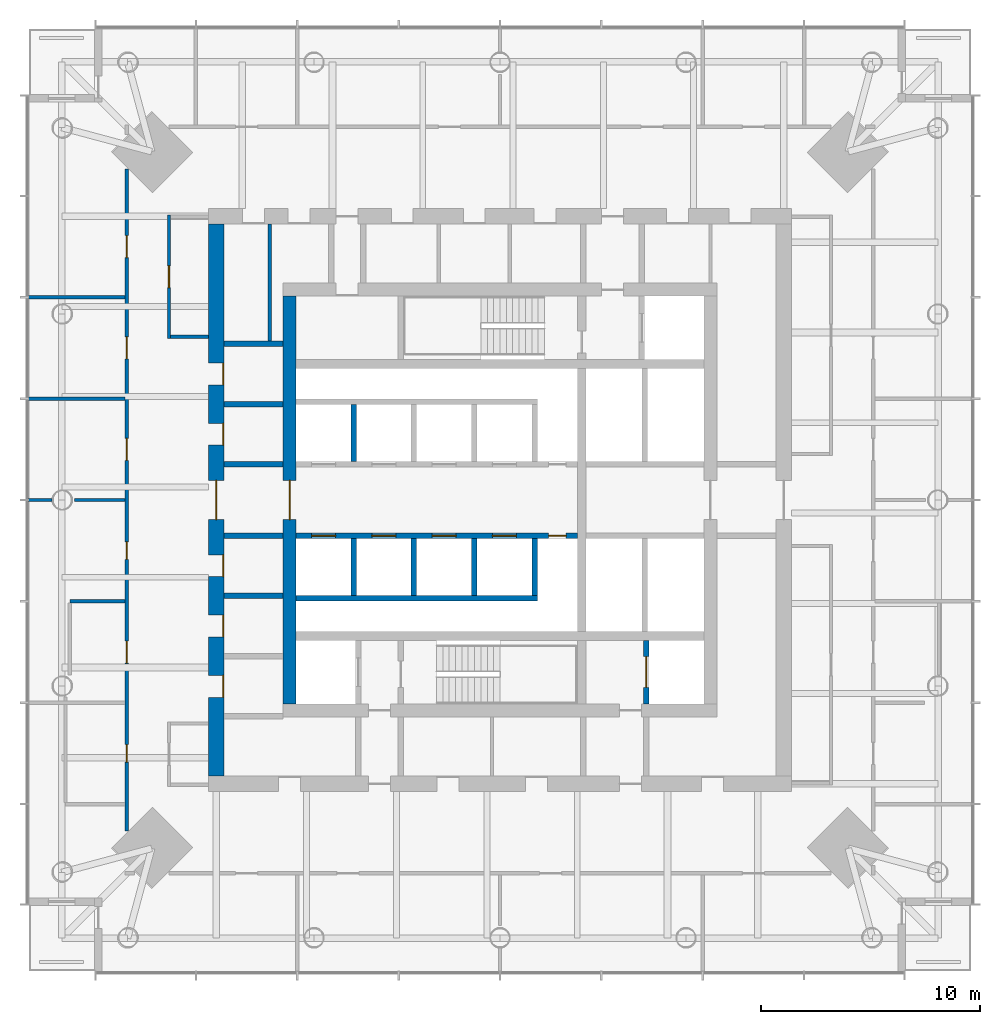
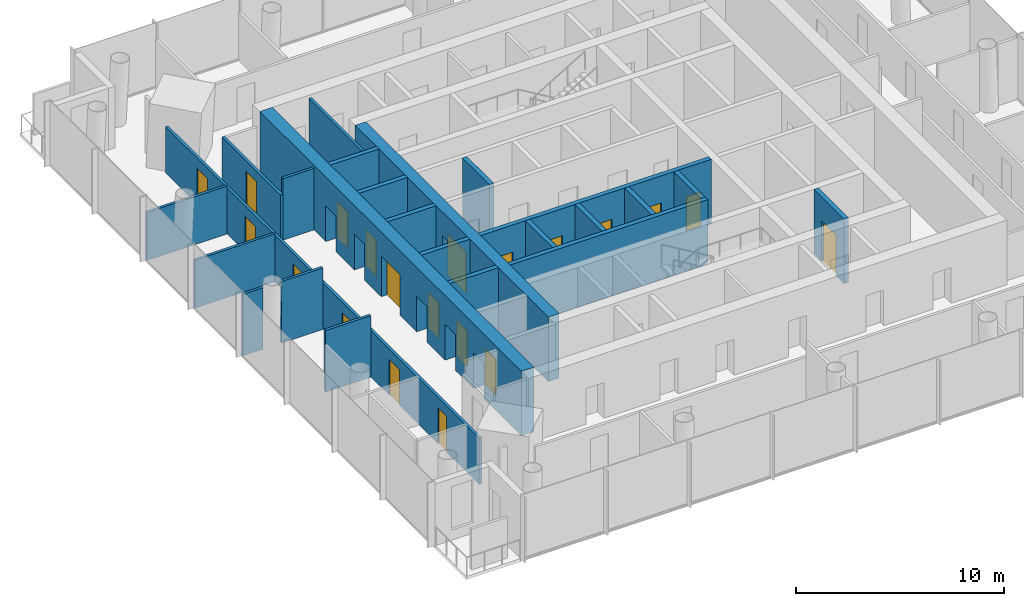
# One storey, part 5 of 9: 24 walls, 20 doors, 20 openings.
"""IFC4 building model written with IfcOpenShell, lengths in metres."""

from ifc_helpers import new_model, si_unit, direction, frame, frame_2d, origin, place, context, subcontext, project, spatial, rectangle, extrude, material, layer, layer_set, type_object, element, fill, save


model = new_model("IFC4")

# Units and contexts
model_context = context("Model", 3, precision=1e-05, world=origin(), true_north=direction((0.0, 1.0)))
body_context = subcontext(model_context, "Body", "Model", "MODEL_VIEW")
ifc_project = project(units=[si_unit("LENGTHUNIT", "METRE"), si_unit("AREAUNIT", "SQUARE_METRE"), si_unit("VOLUMEUNIT", "CUBIC_METRE"), si_unit("PLANEANGLEUNIT", "RADIAN"), si_unit("MASSUNIT", "GRAM", prefix="KILO")], contexts=[model_context])

# Site, building, storey
site_placement = place(None, origin())
site = spatial("IfcSite", under=ifc_project, at=site_placement, CompositionType="ELEMENT")
building_placement = place(site_placement, origin())
building = spatial("IfcBuilding", under=site, at=building_placement, Name="Ostroluk Exchange", CompositionType="ELEMENT")
storey_placement = place(building_placement, frame((0.0, 0.0, 146.39990234375)))
storey = spatial("IfcBuildingStorey", under=building, at=storey_placement, Name="L37", CompositionType="ELEMENT", Elevation=146.39990234375)

# Wall
ifc_material_1 = material(Name="Concrete blockwork", Category="masonry")
ifc_layer_1 = layer(ifc_material_1, 0.14990234375)
ifc_layer_set_1 = layer_set([ifc_layer_1], Name="Blockwork plant room wall 150")
wall_type_1 = type_object("IfcWallType", Name="Blockwork plant room wall 150", PredefinedType="SOLIDWALL", material=ifc_layer_set_1)
wall_1_placement = place(storey_placement, frame((34.5009765625, 53.25, 0.0), z_axis=(0.0, 0.0, 1.0), x_axis=(0.0, 1.0, 0.0)))
element("IfcWall", 1, at=wall_1_placement, inside=storey, type_object=wall_type_1, Name="Core room wall", PredefinedType="SOLIDWALL", context=body_context, shape_type="SweptSolid", body=[
    extrude(rectangle(XDim=5.35009765625, YDim=0.14990234375, at=frame_2d((2.675048828125, 0.0))), origin(), (0.0, 0.0, 1.0), 3.6201171875),
])

# Wall, opening, door
ifc_material_2 = material(Name="Concrete C40/50", Category="concrete")
ifc_layer_2 = layer(ifc_material_2, 0.25)
ifc_layer_set_2 = layer_set([ifc_layer_2], Name="Core shaft wall 250")
wall_type_2 = type_object("IfcWallType", Name="Core shaft wall 250", PredefinedType="SHEAR", material=ifc_layer_set_2)
wall_2_placement = place(storey_placement, frame((51.675048828125, 36.699951171875, 0.0), z_axis=(0.0, 0.0, 1.0), x_axis=(0.0, 1.0, 0.0)))
wall_2 = element("IfcWall", 2, at=wall_2_placement, inside=storey, type_object=wall_type_2, Name="Service lift shaft wall", PredefinedType="SHEAR", context=body_context, shape_type="SweptSolid", body=[
    extrude(rectangle(XDim=2.900146484375, YDim=0.25, at=frame_2d((1.4501953125, 0.0))), origin(), (0.0, 0.0, 1.0), 3.800048828125),
])
opening_1_placement = place(wall_2_placement, frame((0.75, 0.0, 0.0)))
opening_1 = element("IfcOpeningElement", 3, at=opening_1_placement, cuts=wall_2, Name="Opening LD3", PredefinedType="OPENING", context=body_context, shape_type="SweptSolid", body=[
    extrude(rectangle(XDim=1.39990234375, YDim=2.39990234375, at=frame_2d((0.699951171875, 1.199951171875))), frame((0.0, 0.135009765625, 0.0), z_axis=(0.0, -1.0, 0.0), x_axis=(1.0, 0.0, 0.0)), (0.0, 0.0, 1.0), 0.27001953125),
])
ifc_material_3 = material(Name="Stainless steel", Category="steel")
door_type_1 = type_object("IfcDoorType", Name="Goods lift landing door E 60 1400 x 2400", OperationType="DOUBLE_DOOR_SLIDING", PredefinedType="DOOR", material=ifc_material_3)
door_1_placement = place(opening_1_placement, origin())
door_1 = element("IfcDoor", 4, at=door_1_placement, inside=storey, type_object=door_type_1, Name="Lift SL1 landing door", OperationType="DOUBLE_DOOR_SLIDING", OverallHeight=2.39990234375, OverallWidth=1.39990234375, PredefinedType="DOOR", context=body_context, shape_type="SweptSolid", body=[
    extrude(rectangle(XDim=1.39990234375, YDim=2.39990234375, at=frame_2d((0.699951171875, 1.199951171875))), frame((0.0, 0.02490234375, 0.0), z_axis=(0.0, -1.0, 0.0), x_axis=(1.0, 0.0, 0.0)), (0.0, 0.0, 1.0), 0.050048828125),
])
fill(opening_1, door_1)

# Walls
for number, where, z_axis, x_axis, name in (
    (5, (38.324951171875, 47.75, 0.0), (0.0, 0.0, 1.0), (0.0, 1.0, 0.0), "Lift shaft wall"),
    (6, (38.324951171875, 44.25, 0.0), (0.0, 0.0, 1.0), (0.0, -1.0, 0.0), "Lift shaft wall"),
    (7, (41.074951171875, 44.25, 0.0), (0.0, 0.0, 1.0), (0.0, -1.0, 0.0), "Lift shaft wall"),
    (8, (43.824951171875, 44.25, 0.0), (0.0, 0.0, 1.0), (0.0, -1.0, 0.0), "Lift shaft wall"),
    (9, (46.574951171875, 44.25, 0.0), (0.0, 0.0, 1.0), (0.0, -1.0, 0.0), "Lift shaft wall"),
):
    element("IfcWall", number, at=place(storey_placement, frame(where, z_axis=z_axis, x_axis=x_axis)), inside=storey, type_object=wall_type_2, Name=name, PredefinedType="SHEAR", context=body_context, shape_type="SweptSolid", body=[
        extrude(rectangle(XDim=2.60009765625, YDim=0.25, at=frame_2d((1.300048828125, 0.0))), origin(), (0.0, 0.0, 1.0), 3.800048828125),
    ])
wall_3_placement = place(storey_placement, frame((35.699951171875, 41.52490234375, 0.0), z_axis=(0.0, 0.0, 1.0), x_axis=(1.0, 0.0, 0.0)))
element("IfcWall", 10, at=wall_3_placement, inside=storey, type_object=wall_type_2, Name="Lift shaft wall", PredefinedType="SHEAR", context=body_context, shape_type="SweptSolid", body=[
    extrude(rectangle(XDim=11.0, YDim=0.25, at=frame_2d((5.5, 0.0))), origin(), (0.0, 0.0, 1.0), 3.800048828125),
])

# Wall, openings, doors
wall_4_placement = place(storey_placement, frame((35.699951171875, 44.375, 0.0), z_axis=(0.0, 0.0, 1.0), x_axis=(1.0, 0.0, 0.0)))
wall_4 = element("IfcWall", 11, at=wall_4_placement, inside=storey, type_object=wall_type_2, Name="Lift shaft front wall", PredefinedType="SHEAR", context=body_context, shape_type="SweptSolid", body=[
    extrude(rectangle(XDim=12.830078125, YDim=0.25, at=frame_2d((6.4150390625, 0.0))), origin(), (0.0, 0.0, 1.0), 3.800048828125),
])
opening_2_placement = place(wall_4_placement, frame((0.699951171875, 0.0, 0.0)))
opening_2 = element("IfcOpeningElement", 12, at=opening_2_placement, cuts=wall_4, Name="Opening LD", PredefinedType="OPENING", context=body_context, shape_type="SweptSolid", body=[
    extrude(rectangle(XDim=1.10009765625, YDim=2.199951171875, at=frame_2d((0.550048828125, 1.10009765625))), frame((0.0, 0.135009765625, 0.0), z_axis=(0.0, -1.0, 0.0), x_axis=(1.0, 0.0, 0.0)), (0.0, 0.0, 1.0), 0.27001953125),
])
opening_3_placement = place(wall_4_placement, frame((3.449951171875, 0.0, 0.0)))
opening_3 = element("IfcOpeningElement", 13, at=opening_3_placement, cuts=wall_4, Name="Opening LD", PredefinedType="OPENING", context=body_context, shape_type="SweptSolid", body=[
    extrude(rectangle(XDim=1.10009765625, YDim=2.199951171875, at=frame_2d((0.550048828125, 1.10009765625))), frame((0.0, 0.135009765625, 0.0), z_axis=(0.0, -1.0, 0.0), x_axis=(1.0, 0.0, 0.0)), (0.0, 0.0, 1.0), 0.27001953125),
])
opening_4_placement = place(wall_4_placement, frame((6.199951171875, 0.0, 0.0)))
opening_4 = element("IfcOpeningElement", 14, at=opening_4_placement, cuts=wall_4, Name="Opening LD", PredefinedType="OPENING", context=body_context, shape_type="SweptSolid", body=[
    extrude(rectangle(XDim=1.10009765625, YDim=2.199951171875, at=frame_2d((0.550048828125, 1.10009765625))), frame((0.0, 0.135009765625, 0.0), z_axis=(0.0, -1.0, 0.0), x_axis=(1.0, 0.0, 0.0)), (0.0, 0.0, 1.0), 0.27001953125),
])
opening_5_placement = place(wall_4_placement, frame((8.949951171875, 0.0, 0.0)))
opening_5 = element("IfcOpeningElement", 15, at=opening_5_placement, cuts=wall_4, Name="Opening LD", PredefinedType="OPENING", context=body_context, shape_type="SweptSolid", body=[
    extrude(rectangle(XDim=1.10009765625, YDim=2.199951171875, at=frame_2d((0.550048828125, 1.10009765625))), frame((0.0, 0.135009765625, 0.0), z_axis=(0.0, -1.0, 0.0), x_axis=(1.0, 0.0, 0.0)), (0.0, 0.0, 1.0), 0.27001953125),
])
opening_6_placement = place(wall_4_placement, frame((11.514892578125, 0.0, 0.0)))
opening_6 = element("IfcOpeningElement", 16, at=opening_6_placement, cuts=wall_4, Name="Opening RD60", PredefinedType="OPENING", context=body_context, shape_type="SweptSolid", body=[
    extrude(rectangle(XDim=0.800048828125, YDim=2.0, at=frame_2d((0.39990234375, 1.0))), frame((0.0, 0.135009765625, 0.0), z_axis=(0.0, -1.0, 0.0), x_axis=(1.0, 0.0, 0.0)), (0.0, 0.0, 1.0), 0.27001953125),
])
ifc_material_4 = material(Name="Stainless steel", Category="steel")
door_type_2 = type_object("IfcDoorType", Name="Lift landing door E 60 1100 x 2200", OperationType="DOUBLE_DOOR_SLIDING", PredefinedType="DOOR", material=ifc_material_4)
door_2_placement = place(opening_2_placement, origin())
door_2 = element("IfcDoor", 17, at=door_2_placement, inside=storey, type_object=door_type_2, Name="Lift PL-M5 landing door", OperationType="DOUBLE_DOOR_SLIDING", OverallHeight=2.199951171875, OverallWidth=1.10009765625, PredefinedType="DOOR", context=body_context, shape_type="SweptSolid", body=[
    extrude(rectangle(XDim=1.10009765625, YDim=2.199951171875, at=frame_2d((0.550048828125, 1.10009765625))), frame((0.0, 0.02490234375, 0.0), z_axis=(0.0, -1.0, 0.0), x_axis=(1.0, 0.0, 0.0)), (0.0, 0.0, 1.0), 0.050048828125),
])
fill(opening_2, door_2)
door_3_placement = place(opening_3_placement, origin())
door_3 = element("IfcDoor", 18, at=door_3_placement, inside=storey, type_object=door_type_2, Name="Lift PL-M6 landing door", OperationType="DOUBLE_DOOR_SLIDING", OverallHeight=2.199951171875, OverallWidth=1.10009765625, PredefinedType="DOOR", context=body_context, shape_type="SweptSolid", body=[
    extrude(rectangle(XDim=1.10009765625, YDim=2.199951171875, at=frame_2d((0.550048828125, 1.10009765625))), frame((0.0, 0.02490234375, 0.0), z_axis=(0.0, -1.0, 0.0), x_axis=(1.0, 0.0, 0.0)), (0.0, 0.0, 1.0), 0.050048828125),
])
fill(opening_3, door_3)
door_4_placement = place(opening_4_placement, origin())
door_4 = element("IfcDoor", 19, at=door_4_placement, inside=storey, type_object=door_type_2, Name="Lift PL-M7 landing door", OperationType="DOUBLE_DOOR_SLIDING", OverallHeight=2.199951171875, OverallWidth=1.10009765625, PredefinedType="DOOR", context=body_context, shape_type="SweptSolid", body=[
    extrude(rectangle(XDim=1.10009765625, YDim=2.199951171875, at=frame_2d((0.550048828125, 1.10009765625))), frame((0.0, 0.02490234375, 0.0), z_axis=(0.0, -1.0, 0.0), x_axis=(1.0, 0.0, 0.0)), (0.0, 0.0, 1.0), 0.050048828125),
])
fill(opening_4, door_4)
door_5_placement = place(opening_5_placement, origin())
door_5 = element("IfcDoor", 20, at=door_5_placement, inside=storey, type_object=door_type_2, Name="Lift PL-M8 landing door", OperationType="DOUBLE_DOOR_SLIDING", OverallHeight=2.199951171875, OverallWidth=1.10009765625, PredefinedType="DOOR", context=body_context, shape_type="SweptSolid", body=[
    extrude(rectangle(XDim=1.10009765625, YDim=2.199951171875, at=frame_2d((0.550048828125, 1.10009765625))), frame((0.0, 0.02490234375, 0.0), z_axis=(0.0, -1.0, 0.0), x_axis=(1.0, 0.0, 0.0)), (0.0, 0.0, 1.0), 0.050048828125),
])
fill(opening_5, door_5)
ifc_material_5 = material(Name="Steel", Category="steel")
door_type_3 = type_object("IfcDoorType", Name="Riser access door EI 60 800 x 2000", OperationType="SINGLE_SWING_LEFT", PredefinedType="DOOR", material=ifc_material_5)
door_6_placement = place(opening_6_placement, origin())
door_6 = element("IfcDoor", 21, at=door_6_placement, inside=storey, type_object=door_type_3, Name="Riser access door", OperationType="SINGLE_SWING_RIGHT", OverallHeight=2.0, OverallWidth=0.800048828125, PredefinedType="DOOR", context=body_context, shape_type="SweptSolid", body=[
    extrude(rectangle(XDim=0.800048828125, YDim=2.0, at=frame_2d((0.39990234375, 1.0))), frame((0.0, 0.02490234375, 0.0), z_axis=(0.0, -1.0, 0.0), x_axis=(1.0, 0.0, 0.0)), (0.0, 0.0, 1.0), 0.050048828125),
])
fill(opening_6, door_6)

# Walls
for number, where, z_axis, x_axis, name in (
    (22, (32.39990234375, 41.625, 0.0), (0.0, 0.0, 1.0), (1.0, 0.0, 0.0), "Lift shaft wall"),
    (23, (32.39990234375, 44.375, 0.0), (0.0, 0.0, 1.0), (1.0, 0.0, 0.0), "Lift shaft wall"),
    (24, (32.39990234375, 47.625, 0.0), (0.0, 0.0, 1.0), (1.0, 0.0, 0.0), "Lift shaft wall"),
    (25, (32.39990234375, 50.375, 0.0), (0.0, 0.0, 1.0), (1.0, 0.0, 0.0), "Lift shaft wall"),
    (26, (32.39990234375, 53.125, 0.0), (0.0, 0.0, 1.0), (1.0, 0.0, 0.0), "Lift shaft wall"),
):
    element("IfcWall", number, at=place(storey_placement, frame(where, z_axis=z_axis, x_axis=x_axis)), inside=storey, type_object=wall_type_2, Name=name, PredefinedType="SHEAR", context=body_context, shape_type="SweptSolid", body=[
        extrude(rectangle(XDim=2.7001953125, YDim=0.25, at=frame_2d((1.35009765625, 0.0))), origin(), (0.0, 0.0, 1.0), 3.800048828125),
    ])

# Wall, opening, door
ifc_material_6 = material(Name="Concrete C50/60", Category="concrete")
ifc_layer_3 = layer(ifc_material_6, 0.60009765625)
ifc_layer_set_3 = layer_set([ifc_layer_3], Name="Core wall 600 C50/60")
wall_type_3 = type_object("IfcWallType", Name="Core wall 600 C50/60", PredefinedType="SHEAR", material=ifc_layer_set_3)
wall_5_placement = place(storey_placement, frame((35.39990234375, 36.699951171875, 0.0), z_axis=(0.0, 0.0, 1.0), x_axis=(0.0, 1.0, 0.0)))
wall_5 = element("IfcWall", 27, at=wall_5_placement, inside=storey, type_object=wall_type_3, Name="T1 core wall W", PredefinedType="SHEAR", context=body_context, shape_type="SweptSolid", body=[
    extrude(rectangle(XDim=18.60009765625, YDim=0.60009765625, at=frame_2d((9.300048828125, 0.0))), origin(), (0.0, 0.0, 1.0), 3.800048828125),
])
opening_7_placement = place(wall_5_placement, frame((8.39990234375, 0.0, 0.0)))
opening_7 = element("IfcOpeningElement", 28, at=opening_7_placement, cuts=wall_5, Name="Opening FD30D", PredefinedType="OPENING", context=body_context, shape_type="SweptSolid", body=[
    extrude(rectangle(XDim=1.800048828125, YDim=2.39990234375, at=frame_2d((0.89990234375, 1.199951171875))), frame((0.0, 0.31005859375, 0.0), z_axis=(0.0, -1.0, 0.0), x_axis=(1.0, 0.0, 0.0)), (0.0, 0.0, 1.0), 0.6201171875),
])
ifc_material_7 = material(Name="Timber", Category="wood")
door_type_4 = type_object("IfcDoorType", Name="Lobby double door EI 30 1800 x 2400", OperationType="DOUBLE_DOOR_SINGLE_SWING", PredefinedType="DOOR", material=ifc_material_7)
door_7_placement = place(opening_7_placement, origin())
door_7 = element("IfcDoor", 29, at=door_7_placement, inside=storey, type_object=door_type_4, Name="Lift lobby doors", OperationType="DOUBLE_DOOR_SINGLE_SWING", OverallHeight=2.39990234375, OverallWidth=1.800048828125, PredefinedType="DOOR", context=body_context, shape_type="SweptSolid", body=[
    extrude(rectangle(XDim=1.800048828125, YDim=2.39990234375, at=frame_2d((0.89990234375, 1.199951171875))), frame((0.0, 0.02490234375, 0.0), z_axis=(0.0, -1.0, 0.0), x_axis=(1.0, 0.0, 0.0)), (0.0, 0.0, 1.0), 0.050048828125),
])
fill(opening_7, door_7)

# Wall, openings, doors
ifc_material_8 = material(Name="Concrete C50/60", Category="concrete")
ifc_layer_4 = layer(ifc_material_8, 0.699951171875)
ifc_layer_set_4 = layer_set([ifc_layer_4], Name="Core wall 700 C50/60")
wall_type_4 = type_object("IfcWallType", Name="Core wall 700 C50/60", PredefinedType="SHEAR", material=ifc_layer_set_4)
wall_6_placement = place(storey_placement, frame((32.050048828125, 33.39990234375, 0.0), z_axis=(0.0, 0.0, 1.0), x_axis=(0.0, 1.0, 0.0)))
wall_6 = element("IfcWall", 30, at=wall_6_placement, inside=storey, type_object=wall_type_4, Name="T1 core wall RW", PredefinedType="SHEAR", context=body_context, shape_type="SweptSolid", body=[
    extrude(rectangle(XDim=25.2001953125, YDim=0.699951171875, at=frame_2d((12.60009765625, 0.0))), origin(), (0.0, 0.0, 1.0), 3.800048828125),
])
opening_8_placement = place(wall_6_placement, frame((11.699951171875, 0.0, 0.0)))
opening_8 = element("IfcOpeningElement", 31, at=opening_8_placement, cuts=wall_6, Name="Opening FD30D", PredefinedType="OPENING", context=body_context, shape_type="SweptSolid", body=[
    extrude(rectangle(XDim=1.800048828125, YDim=2.39990234375, at=frame_2d((0.89990234375, 1.199951171875))), frame((0.0, 0.35986328125, 0.0), z_axis=(0.0, -1.0, 0.0), x_axis=(1.0, 0.0, 0.0)), (0.0, 0.0, 1.0), 0.719970703125),
])
opening_9_placement = place(wall_6_placement, frame((3.60009765625, 0.0, 0.0)))
opening_9 = element("IfcOpeningElement", 32, at=opening_9_placement, cuts=wall_6, Name="Opening FD60", PredefinedType="OPENING", context=body_context, shape_type="SweptSolid", body=[
    extrude(rectangle(XDim=1.0, YDim=2.10009765625, at=frame_2d((0.5, 1.050048828125))), frame((0.0, 0.35986328125, 0.0), z_axis=(0.0, -1.0, 0.0), x_axis=(1.0, 0.0, 0.0)), (0.0, 0.0, 1.0), 0.719970703125),
])
opening_10_placement = place(wall_6_placement, frame((6.35009765625, 0.0, 0.0)))
opening_10 = element("IfcOpeningElement", 33, at=opening_10_placement, cuts=wall_6, Name="Opening FD60", PredefinedType="OPENING", context=body_context, shape_type="SweptSolid", body=[
    extrude(rectangle(XDim=1.0, YDim=2.10009765625, at=frame_2d((0.5, 1.050048828125))), frame((0.0, 0.35986328125, 0.0), z_axis=(0.0, -1.0, 0.0), x_axis=(1.0, 0.0, 0.0)), (0.0, 0.0, 1.0), 0.719970703125),
])
opening_11_placement = place(wall_6_placement, frame((9.10009765625, 0.0, 0.0)))
opening_11 = element("IfcOpeningElement", 34, at=opening_11_placement, cuts=wall_6, Name="Opening FD60", PredefinedType="OPENING", context=body_context, shape_type="SweptSolid", body=[
    extrude(rectangle(XDim=1.0, YDim=2.10009765625, at=frame_2d((0.5, 1.050048828125))), frame((0.0, 0.35986328125, 0.0), z_axis=(0.0, -1.0, 0.0), x_axis=(1.0, 0.0, 0.0)), (0.0, 0.0, 1.0), 0.719970703125),
])
opening_12_placement = place(wall_6_placement, frame((15.10009765625, 0.0, 0.0)))
opening_12 = element("IfcOpeningElement", 35, at=opening_12_placement, cuts=wall_6, Name="Opening FD60", PredefinedType="OPENING", context=body_context, shape_type="SweptSolid", body=[
    extrude(rectangle(XDim=1.0, YDim=2.10009765625, at=frame_2d((0.5, 1.050048828125))), frame((0.0, 0.35986328125, 0.0), z_axis=(0.0, -1.0, 0.0), x_axis=(1.0, 0.0, 0.0)), (0.0, 0.0, 1.0), 0.719970703125),
])
opening_13_placement = place(wall_6_placement, frame((17.85009765625, 0.0, 0.0)))
opening_13 = element("IfcOpeningElement", 36, at=opening_13_placement, cuts=wall_6, Name="Opening FD60", PredefinedType="OPENING", context=body_context, shape_type="SweptSolid", body=[
    extrude(rectangle(XDim=1.0, YDim=2.10009765625, at=frame_2d((0.5, 1.050048828125))), frame((0.0, 0.35986328125, 0.0), z_axis=(0.0, -1.0, 0.0), x_axis=(1.0, 0.0, 0.0)), (0.0, 0.0, 1.0), 0.719970703125),
])
ifc_material_9 = material(Name="Steel", Category="steel")
door_type_5 = type_object("IfcDoorType", Name="Fire door EI 60 1000 x 2100", OperationType="SINGLE_SWING_LEFT", PredefinedType="DOOR", material=ifc_material_9)
door_8_placement = place(opening_9_placement, origin())
door_8 = element("IfcDoor", 37, at=door_8_placement, inside=storey, type_object=door_type_5, Name="Comms room door", OperationType="SINGLE_SWING_LEFT", OverallHeight=2.10009765625, OverallWidth=1.0, PredefinedType="DOOR", context=body_context, shape_type="SweptSolid", body=[
    extrude(rectangle(XDim=1.0, YDim=2.10009765625, at=frame_2d((0.5, 1.050048828125))), frame((0.0, -0.2900390625, 0.0), z_axis=(0.0, -1.0, 0.0), x_axis=(1.0, 0.0, 0.0)), (0.0, 0.0, 1.0), 0.050048828125),
])
fill(opening_9, door_8)
door_9_placement = place(opening_10_placement, origin())
door_9 = element("IfcDoor", 38, at=door_9_placement, inside=storey, type_object=door_type_5, Name="Tenant IT room door", OperationType="SINGLE_SWING_LEFT", OverallHeight=2.10009765625, OverallWidth=1.0, PredefinedType="DOOR", context=body_context, shape_type="SweptSolid", body=[
    extrude(rectangle(XDim=1.0, YDim=2.10009765625, at=frame_2d((0.5, 1.050048828125))), frame((0.0, -0.2900390625, 0.0), z_axis=(0.0, -1.0, 0.0), x_axis=(1.0, 0.0, 0.0)), (0.0, 0.0, 1.0), 0.050048828125),
])
fill(opening_10, door_9)
door_10_placement = place(opening_11_placement, origin())
door_10 = element("IfcDoor", 39, at=door_10_placement, inside=storey, type_object=door_type_5, Name="Comms room door", OperationType="SINGLE_SWING_LEFT", OverallHeight=2.10009765625, OverallWidth=1.0, PredefinedType="DOOR", context=body_context, shape_type="SweptSolid", body=[
    extrude(rectangle(XDim=1.0, YDim=2.10009765625, at=frame_2d((0.5, 1.050048828125))), frame((0.0, -0.2900390625, 0.0), z_axis=(0.0, -1.0, 0.0), x_axis=(1.0, 0.0, 0.0)), (0.0, 0.0, 1.0), 0.050048828125),
])
fill(opening_11, door_10)
door_11_placement = place(opening_12_placement, origin())
door_11 = element("IfcDoor", 40, at=door_11_placement, inside=storey, type_object=door_type_5, Name="Tenant IT room door", OperationType="SINGLE_SWING_RIGHT", OverallHeight=2.10009765625, OverallWidth=1.0, PredefinedType="DOOR", context=body_context, shape_type="SweptSolid", body=[
    extrude(rectangle(XDim=1.0, YDim=2.10009765625, at=frame_2d((0.5, 1.050048828125))), frame((0.0, -0.2900390625, 0.0), z_axis=(0.0, -1.0, 0.0), x_axis=(1.0, 0.0, 0.0)), (0.0, 0.0, 1.0), 0.050048828125),
])
fill(opening_12, door_11)
door_12_placement = place(opening_13_placement, origin())
door_12 = element("IfcDoor", 41, at=door_12_placement, inside=storey, type_object=door_type_5, Name="Comms room door", OperationType="SINGLE_SWING_RIGHT", OverallHeight=2.10009765625, OverallWidth=1.0, PredefinedType="DOOR", context=body_context, shape_type="SweptSolid", body=[
    extrude(rectangle(XDim=1.0, YDim=2.10009765625, at=frame_2d((0.5, 1.050048828125))), frame((0.0, -0.2900390625, 0.0), z_axis=(0.0, -1.0, 0.0), x_axis=(1.0, 0.0, 0.0)), (0.0, 0.0, 1.0), 0.050048828125),
])
fill(opening_13, door_12)
door_13_placement = place(opening_8_placement, origin())
door_13 = element("IfcDoor", 42, at=door_13_placement, inside=storey, type_object=door_type_4, Name="Lift lobby doors", OperationType="DOUBLE_DOOR_SINGLE_SWING", OverallHeight=2.39990234375, OverallWidth=1.800048828125, PredefinedType="DOOR", context=body_context, shape_type="SweptSolid", body=[
    extrude(rectangle(XDim=1.800048828125, YDim=2.39990234375, at=frame_2d((0.89990234375, 1.199951171875))), frame((0.0, 0.02490234375, 0.0), z_axis=(0.0, -1.0, 0.0), x_axis=(1.0, 0.0, 0.0)), (0.0, 0.0, 1.0), 0.050048828125),
])
fill(opening_8, door_13)

# Wall, opening, door
ifc_material_10 = material(Name="Gypsum plasterboard partition", Category="gypsum")
ifc_layer_5 = layer(ifc_material_10, 0.14990234375)
ifc_layer_set_5 = layer_set([ifc_layer_5], Name="Plasterboard partition 150")
wall_type_5 = type_object("IfcWallType", Name="Plasterboard partition 150", PredefinedType="PARTITIONING", material=ifc_layer_set_5)
wall_7_placement = place(storey_placement, frame((29.89990234375, 59.0, 0.0), z_axis=(0.0, 0.0, 1.0), x_axis=(0.0, -1.0, 0.0)))
wall_7 = element("IfcWall", 43, at=wall_7_placement, inside=storey, type_object=wall_type_5, Name="Partition", PredefinedType="PARTITIONING", context=body_context, shape_type="SweptSolid", body=[
    extrude(rectangle(XDim=5.625, YDim=0.14990234375, at=frame_2d((2.8125, 0.0))), origin(), (0.0, 0.0, 1.0), 2.72021484375),
])
opening_14_placement = place(wall_7_placement, frame((2.3125, 0.0, 0.0)))
opening_14 = element("IfcOpeningElement", 44, at=opening_14_placement, cuts=wall_7, Name="Opening D-03", PredefinedType="OPENING", context=body_context, shape_type="SweptSolid", body=[
    extrude(rectangle(XDim=1.0, YDim=2.10009765625, at=frame_2d((0.5, 1.050048828125))), frame((0.0, 0.0849609375, 0.0), z_axis=(0.0, -1.0, 0.0), x_axis=(1.0, 0.0, 0.0)), (0.0, 0.0, 1.0), 0.169921875),
])
ifc_material_11 = material(Name="Timber", Category="wood")
door_type_6 = type_object("IfcDoorType", Name="Internal door 1000 x 2100", OperationType="SINGLE_SWING_LEFT", PredefinedType="DOOR", material=ifc_material_11)
door_14_placement = place(opening_14_placement, origin())
door_14 = element("IfcDoor", 45, at=door_14_placement, inside=storey, type_object=door_type_6, Name="Meeting room door", OperationType="SINGLE_SWING_LEFT", OverallHeight=2.10009765625, OverallWidth=1.0, PredefinedType="DOOR", context=body_context, shape_type="SweptSolid", body=[
    extrude(rectangle(XDim=1.0, YDim=2.10009765625, at=frame_2d((0.5, 1.050048828125))), frame((0.0, 0.02490234375, 0.0), z_axis=(0.0, -1.0, 0.0), x_axis=(1.0, 0.0, 0.0)), (0.0, 0.0, 1.0), 0.050048828125),
])
fill(opening_14, door_14)

# Wall
wall_8_placement = place(storey_placement, frame((31.699951171875, 53.449951171875, 0.0), z_axis=(0.0, 0.0, 1.0), x_axis=(-1.0, 0.0, 0.0)))
element("IfcWall", 46, at=wall_8_placement, inside=storey, type_object=wall_type_5, Name="Partition", PredefinedType="PARTITIONING", context=body_context, shape_type="SweptSolid", body=[
    extrude(rectangle(XDim=1.724853515625, YDim=0.14990234375, at=frame_2d((0.8623046875, 0.0))), origin(), (0.0, 0.0, 1.0), 3.6201171875),
])

# Wall, openings, doors
wall_9_placement = place(storey_placement, frame((27.97509765625, 61.111572265625, 0.0), z_axis=(0.0, 0.0, 1.0), x_axis=(0.0, -1.0, 0.0)))
wall_9 = element("IfcWall", 47, at=wall_9_placement, inside=storey, type_object=wall_type_5, Name="Partition", PredefinedType="PARTITIONING", context=body_context, shape_type="SweptSolid", body=[
    extrude(rectangle(XDim=30.22314453125, YDim=0.14990234375, at=frame_2d((15.111572265625, 0.0))), origin(), (0.0, 0.0, 1.0), 2.72021484375),
])
opening_15_placement = place(wall_9_placement, frame((3.049072265625, 0.0, 0.0)))
opening_15 = element("IfcOpeningElement", 48, at=opening_15_placement, cuts=wall_9, Name="Opening D-03", PredefinedType="OPENING", context=body_context, shape_type="SweptSolid", body=[
    extrude(rectangle(XDim=1.0, YDim=2.10009765625, at=frame_2d((0.5, 1.050048828125))), frame((0.0, 0.0849609375, 0.0), z_axis=(0.0, -1.0, 0.0), x_axis=(1.0, 0.0, 0.0)), (0.0, 0.0, 1.0), 0.169921875),
])
opening_16_placement = place(wall_9_placement, frame((7.674072265625, 0.0, 0.0)))
opening_16 = element("IfcOpeningElement", 49, at=opening_16_placement, cuts=wall_9, Name="Opening D-03", PredefinedType="OPENING", context=body_context, shape_type="SweptSolid", body=[
    extrude(rectangle(XDim=1.0, YDim=2.10009765625, at=frame_2d((0.5, 1.050048828125))), frame((0.0, 0.0849609375, 0.0), z_axis=(0.0, -1.0, 0.0), x_axis=(1.0, 0.0, 0.0)), (0.0, 0.0, 1.0), 0.169921875),
])
opening_17_placement = place(wall_9_placement, frame((12.299072265625, 0.0, 0.0)))
opening_17 = element("IfcOpeningElement", 50, at=opening_17_placement, cuts=wall_9, Name="Opening D-03", PredefinedType="OPENING", context=body_context, shape_type="SweptSolid", body=[
    extrude(rectangle(XDim=1.0, YDim=2.10009765625, at=frame_2d((0.5, 1.050048828125))), frame((0.0, 0.0849609375, 0.0), z_axis=(0.0, -1.0, 0.0), x_axis=(1.0, 0.0, 0.0)), (0.0, 0.0, 1.0), 0.169921875),
])
opening_18_placement = place(wall_9_placement, frame((17.02392578125, 0.0, 0.0)))
opening_18 = element("IfcOpeningElement", 51, at=opening_18_placement, cuts=wall_9, Name="Opening D-06", PredefinedType="OPENING", context=body_context, shape_type="SweptSolid", body=[
    extrude(rectangle(XDim=0.800048828125, YDim=2.10009765625, at=frame_2d((0.39990234375, 1.050048828125))), frame((0.0, 0.0849609375, 0.0), z_axis=(0.0, -1.0, 0.0), x_axis=(1.0, 0.0, 0.0)), (0.0, 0.0, 1.0), 0.169921875),
])
opening_19_placement = place(wall_9_placement, frame((21.549072265625, 0.0, 0.0)))
opening_19 = element("IfcOpeningElement", 52, at=opening_19_placement, cuts=wall_9, Name="Opening D-03", PredefinedType="OPENING", context=body_context, shape_type="SweptSolid", body=[
    extrude(rectangle(XDim=1.0, YDim=2.10009765625, at=frame_2d((0.5, 1.050048828125))), frame((0.0, 0.0849609375, 0.0), z_axis=(0.0, -1.0, 0.0), x_axis=(1.0, 0.0, 0.0)), (0.0, 0.0, 1.0), 0.169921875),
])
opening_20_placement = place(wall_9_placement, frame((26.27392578125, 0.0, 0.0)))
opening_20 = element("IfcOpeningElement", 53, at=opening_20_placement, cuts=wall_9, Name="Opening D-06", PredefinedType="OPENING", context=body_context, shape_type="SweptSolid", body=[
    extrude(rectangle(XDim=0.800048828125, YDim=2.10009765625, at=frame_2d((0.39990234375, 1.050048828125))), frame((0.0, 0.0849609375, 0.0), z_axis=(0.0, -1.0, 0.0), x_axis=(1.0, 0.0, 0.0)), (0.0, 0.0, 1.0), 0.169921875),
])
door_15_placement = place(opening_15_placement, origin())
door_15 = element("IfcDoor", 54, at=door_15_placement, inside=storey, type_object=door_type_6, Name="Office suite door", OperationType="SINGLE_SWING_LEFT", OverallHeight=2.10009765625, OverallWidth=1.0, PredefinedType="DOOR", context=body_context, shape_type="SweptSolid", body=[
    extrude(rectangle(XDim=1.0, YDim=2.10009765625, at=frame_2d((0.5, 1.050048828125))), frame((0.0, 0.02490234375, 0.0), z_axis=(0.0, -1.0, 0.0), x_axis=(1.0, 0.0, 0.0)), (0.0, 0.0, 1.0), 0.050048828125),
])
fill(opening_15, door_15)
door_16_placement = place(opening_16_placement, origin())
door_16 = element("IfcDoor", 55, at=door_16_placement, inside=storey, type_object=door_type_6, Name="Meeting room door", OperationType="SINGLE_SWING_LEFT", OverallHeight=2.10009765625, OverallWidth=1.0, PredefinedType="DOOR", context=body_context, shape_type="SweptSolid", body=[
    extrude(rectangle(XDim=1.0, YDim=2.10009765625, at=frame_2d((0.5, 1.050048828125))), frame((0.0, 0.02490234375, 0.0), z_axis=(0.0, -1.0, 0.0), x_axis=(1.0, 0.0, 0.0)), (0.0, 0.0, 1.0), 0.050048828125),
])
fill(opening_16, door_16)
door_17_placement = place(opening_17_placement, origin())
door_17 = element("IfcDoor", 56, at=door_17_placement, inside=storey, type_object=door_type_6, Name="Focus room door", OperationType="SINGLE_SWING_LEFT", OverallHeight=2.10009765625, OverallWidth=1.0, PredefinedType="DOOR", context=body_context, shape_type="SweptSolid", body=[
    extrude(rectangle(XDim=1.0, YDim=2.10009765625, at=frame_2d((0.5, 1.050048828125))), frame((0.0, 0.02490234375, 0.0), z_axis=(0.0, -1.0, 0.0), x_axis=(1.0, 0.0, 0.0)), (0.0, 0.0, 1.0), 0.050048828125),
])
fill(opening_17, door_17)
door_18_placement = place(opening_19_placement, origin())
door_18 = element("IfcDoor", 57, at=door_18_placement, inside=storey, type_object=door_type_6, Name="Accessible WC door", OperationType="SINGLE_SWING_RIGHT", OverallHeight=2.10009765625, OverallWidth=1.0, PredefinedType="DOOR", context=body_context, shape_type="SweptSolid", body=[
    extrude(rectangle(XDim=1.0, YDim=2.10009765625, at=frame_2d((0.5, 1.050048828125))), frame((0.0, 0.02490234375, 0.0), z_axis=(0.0, -1.0, 0.0), x_axis=(1.0, 0.0, 0.0)), (0.0, 0.0, 1.0), 0.050048828125),
])
fill(opening_19, door_18)
ifc_material_12 = material(Name="Timber", Category="wood")
door_type_7 = type_object("IfcDoorType", Name="Toilet door 800 x 2100", OperationType="SINGLE_SWING_LEFT", PredefinedType="DOOR", material=ifc_material_12)
door_19_placement = place(opening_18_placement, origin())
door_19 = element("IfcDoor", 58, at=door_19_placement, inside=storey, type_object=door_type_7, Name="WC female door", OperationType="SINGLE_SWING_RIGHT", OverallHeight=2.10009765625, OverallWidth=0.800048828125, PredefinedType="DOOR", context=body_context, shape_type="SweptSolid", body=[
    extrude(rectangle(XDim=0.800048828125, YDim=2.10009765625, at=frame_2d((0.39990234375, 1.050048828125))), frame((0.0, 0.02490234375, 0.0), z_axis=(0.0, -1.0, 0.0), x_axis=(1.0, 0.0, 0.0)), (0.0, 0.0, 1.0), 0.050048828125),
])
fill(opening_18, door_19)
door_20_placement = place(opening_20_placement, origin())
door_20 = element("IfcDoor", 59, at=door_20_placement, inside=storey, type_object=door_type_7, Name="WC male door", OperationType="SINGLE_SWING_RIGHT", OverallHeight=2.10009765625, OverallWidth=0.800048828125, PredefinedType="DOOR", context=body_context, shape_type="SweptSolid", body=[
    extrude(rectangle(XDim=0.800048828125, YDim=2.10009765625, at=frame_2d((0.39990234375, 1.050048828125))), frame((0.0, 0.02490234375, 0.0), z_axis=(0.0, -1.0, 0.0), x_axis=(1.0, 0.0, 0.0)), (0.0, 0.0, 1.0), 0.050048828125),
])
fill(opening_20, door_20)

# Walls
for number, where, z_axis, x_axis, name in (
    (60, (27.89990234375, 55.25, 0.0), (0.0, 0.0, 1.0), (-1.0, 0.0, 0.0), "Partition"),
    (61, (27.89990234375, 50.625, 0.0), (0.0, 0.0, 1.0), (-1.0, 0.0, 0.0), "Partition"),
):
    element("IfcWall", number, at=place(storey_placement, frame(where, z_axis=z_axis, x_axis=x_axis)), inside=storey, type_object=wall_type_5, Name=name, PredefinedType="PARTITIONING", context=body_context, shape_type="SweptSolid", body=[
        extrude(rectangle(XDim=4.43994140625, YDim=0.14990234375, at=frame_2d((2.219970703125, 0.0))), origin(), (0.0, 0.0, 1.0), 2.820068359375),
    ])
wall_10_placement = place(storey_placement, frame((27.89990234375, 46.0, 0.0), z_axis=(0.0, 0.0, 1.0), x_axis=(-1.0, 0.0, 0.0)))
element("IfcWall", 62, at=wall_10_placement, inside=storey, type_object=wall_type_5, Name="Partition", PredefinedType="PARTITIONING", context=body_context, shape_type="SweptSolid", body=[
    extrude(rectangle(XDim=2.314453125, YDim=0.14990234375, at=frame_2d((1.1572265625, 0.0))), origin(), (0.0, 0.0, 1.0), 3.6201171875),
])
wall_11_placement = place(storey_placement, frame((24.550048828125, 46.0, 0.0), z_axis=(0.0, 0.0, 1.0), x_axis=(-1.0, 0.0, 0.0)))
element("IfcWall", 63, at=wall_11_placement, inside=storey, type_object=wall_type_5, Name="Partition", PredefinedType="PARTITIONING", context=body_context, shape_type="SweptSolid", body=[
    extrude(rectangle(XDim=1.090087890625, YDim=0.14990234375, at=frame_2d((0.544921875, 0.0))), origin(), (0.0, 0.0, 1.0), 3.6201171875),
])
wall_12_placement = place(storey_placement, frame((27.89990234375, 41.375, 0.0), z_axis=(0.0, 0.0, 1.0), x_axis=(-1.0, 0.0, 0.0)))
element("IfcWall", 64, at=wall_12_placement, inside=storey, type_object=wall_type_5, Name="Partition", PredefinedType="PARTITIONING", context=body_context, shape_type="SweptSolid", body=[
    extrude(rectangle(XDim=2.52490234375, YDim=0.14990234375, at=frame_2d((1.262451171875, 0.0))), origin(), (0.0, 0.0, 1.0), 3.6201171875),
])

save(model, "model.ifc")
